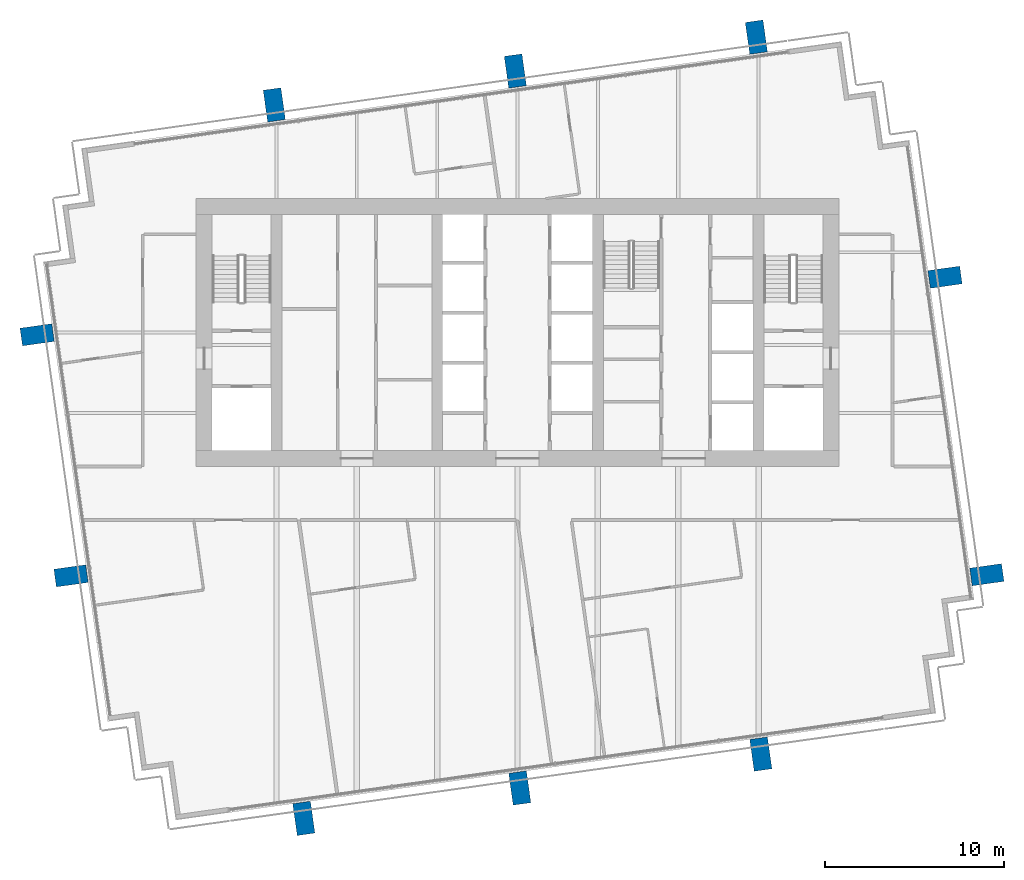
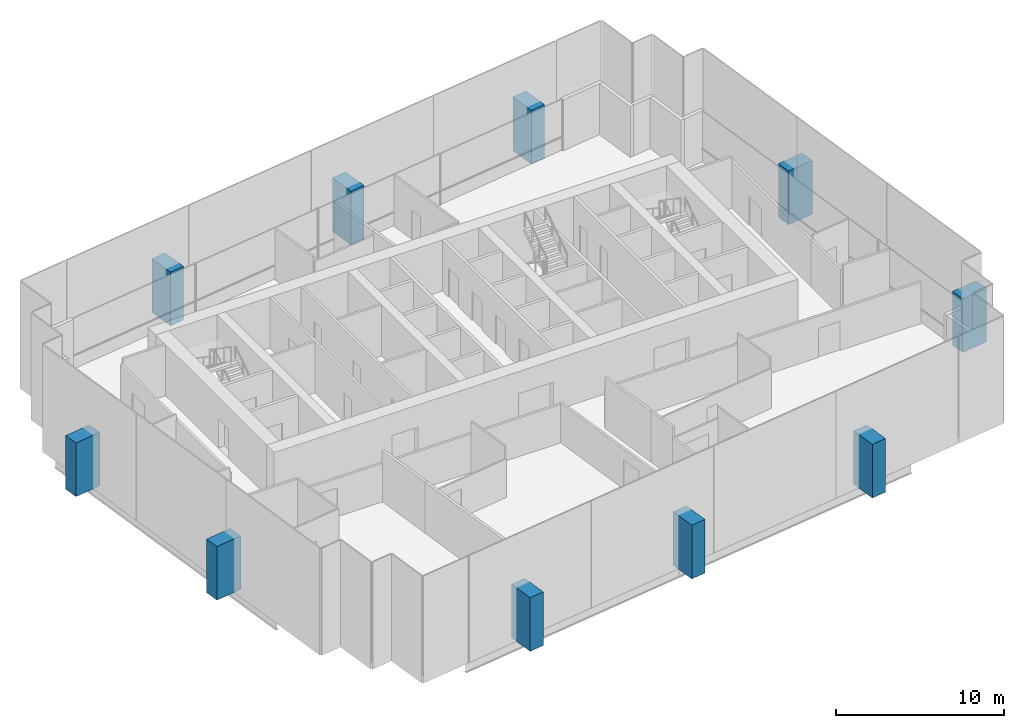
# One storey, part 1 of 15: 10 columns.
"""IFC4 building model written with IfcOpenShell, lengths in metres."""

from ifc_helpers import new_model, si_unit, direction, frame, origin, origin_2d, place, context, subcontext, project, spatial, rectangle, extrude, material, material_profile, profile_set, type_object, element, save


model = new_model("IFC4")

# Units and contexts
model_context = context("Model", 3, precision=1e-05, world=origin(), true_north=direction((0.0, 1.0)))
body_context = subcontext(model_context, "Body", "Model", "MODEL_VIEW")
ifc_project = project(units=[si_unit("LENGTHUNIT", "METRE"), si_unit("AREAUNIT", "SQUARE_METRE"), si_unit("VOLUMEUNIT", "CUBIC_METRE"), si_unit("PLANEANGLEUNIT", "RADIAN"), si_unit("MASSUNIT", "GRAM", prefix="KILO")], contexts=[model_context])

# Site, building, storey
site_placement = place(None, origin())
site = spatial("IfcSite", under=ifc_project, at=site_placement, CompositionType="ELEMENT")
building_placement = place(site_placement, origin())
building = spatial("IfcBuilding", under=site, at=building_placement, Name="Rattan Terrace Tower", CompositionType="ELEMENT")
storey_placement = place(building_placement, frame((0.0, 0.0, 278.5)))
storey = spatial("IfcBuildingStorey", under=building, at=storey_placement, Name="L64", CompositionType="ELEMENT", Elevation=278.5)

# Columns
ifc_material = material(Name="Concrete C40/50", Category="concrete")
ifc_material_profile = material_profile(ifc_material, rectangle(XDim=1.0, YDim=1.800048828125, at=origin_2d()), Name="CFT 1800x1000")
ifc_profile_set = profile_set([ifc_material_profile], Name="Concrete C40/50")
column_type = type_object("IfcColumnType", Name="Frame exoskeleton column CFT 1800x1000", PredefinedType="COLUMN", material=ifc_profile_set)
for number, where, z_axis, x_axis, name in (
    (1, (-11.970947265625, -27.208984375, -0.199951171875), (0.0, 0.0, 1.0), (0.990265639562, 0.139190384377, 0.0), "exo-L64-001"),
    (2, (0.125, -25.508056640625, -0.199951171875), (0.0, 0.0, 1.0), (0.990265639562, 0.139190384377, 0.0), "exo-L64-002"),
    (3, (13.625, -23.610107421875, -0.199951171875), (0.0, 0.0, 1.0), (0.990265639562, 0.139190384377, 0.0), "exo-L64-003"),
    (4, (-25.007080078125, -13.625, -0.199951171875), (0.0, 0.0, 1.0), (-0.139190384377, 0.990265639562, 0.0), "exo-L64-004"),
    (5, (26.283935546875, -13.56494140625, -0.199951171875), (0.0, 0.0, 1.0), (-0.139190384377, 0.990265639562, 0.0), "exo-L64-005"),
    (6, (-26.906005859375, -0.125, -0.199951171875), (0.0, 0.0, 1.0), (-0.139190384377, 0.990265639562, 0.0), "exo-L64-006"),
    (7, (23.94091796875, 3.10009765625, -0.199951171875), (0.0, 0.0, 1.0), (-0.139190384377, 0.990265639562, 0.0), "exo-L64-007"),
    (8, (-13.625, 12.7509765625, -0.199951171875), (0.0, 0.0, 1.0), (0.990265639562, 0.139190384377, 0.0), "exo-L64-008"),
    (9, (-0.125, 14.64794921875, -0.199951171875), (0.0, 0.0, 1.0), (0.990265639562, 0.139190384377, 0.0), "exo-L64-009"),
    (10, (13.375, 16.5458984375, -0.199951171875), (0.0, 0.0, 1.0), (0.990265639562, 0.139190384377, 0.0), "exo-L64-010"),
):
    element("IfcColumn", number, at=place(storey_placement, frame(where, z_axis=z_axis, x_axis=x_axis)), inside=storey, type_object=column_type, Name=name, PredefinedType="COLUMN", context=body_context, shape_type="SweptSolid", body=[
        extrude(rectangle(XDim=1.0, YDim=1.800048828125, at=origin_2d()), origin(), (0.0, 0.0, 1.0), 3.89990234375),
    ])

save(model, "model.ifc")
